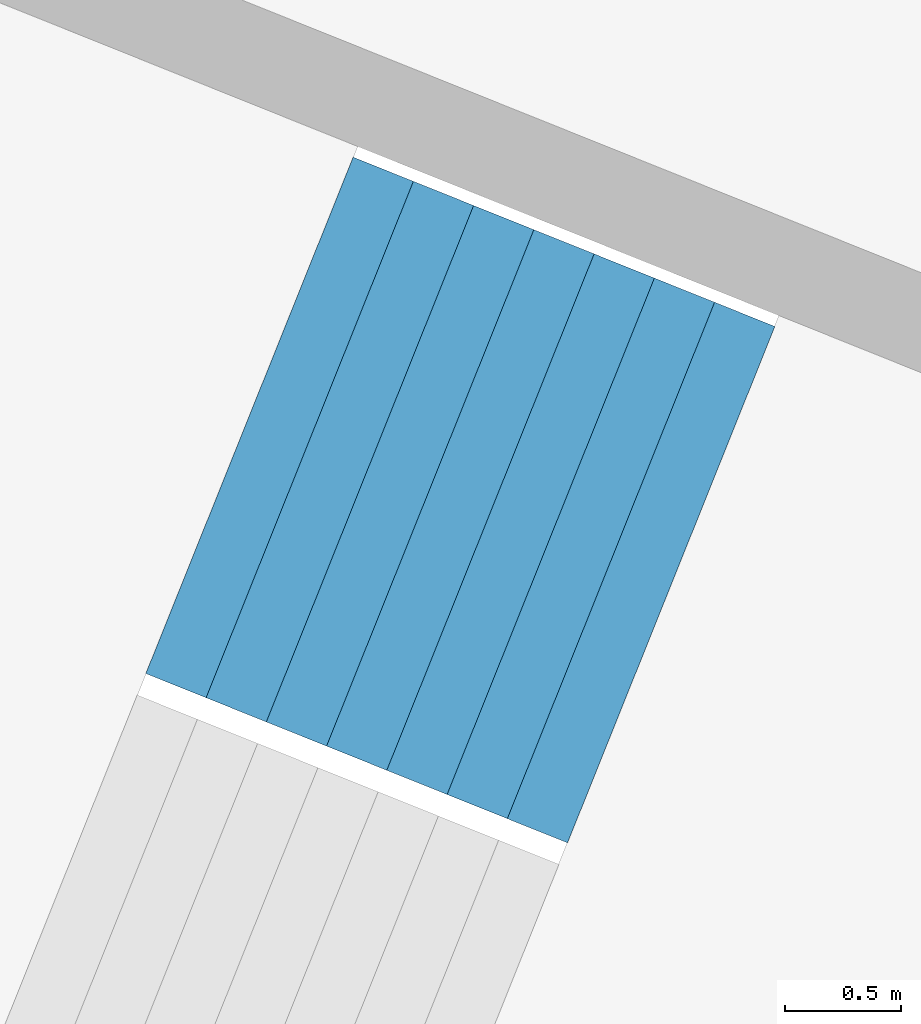
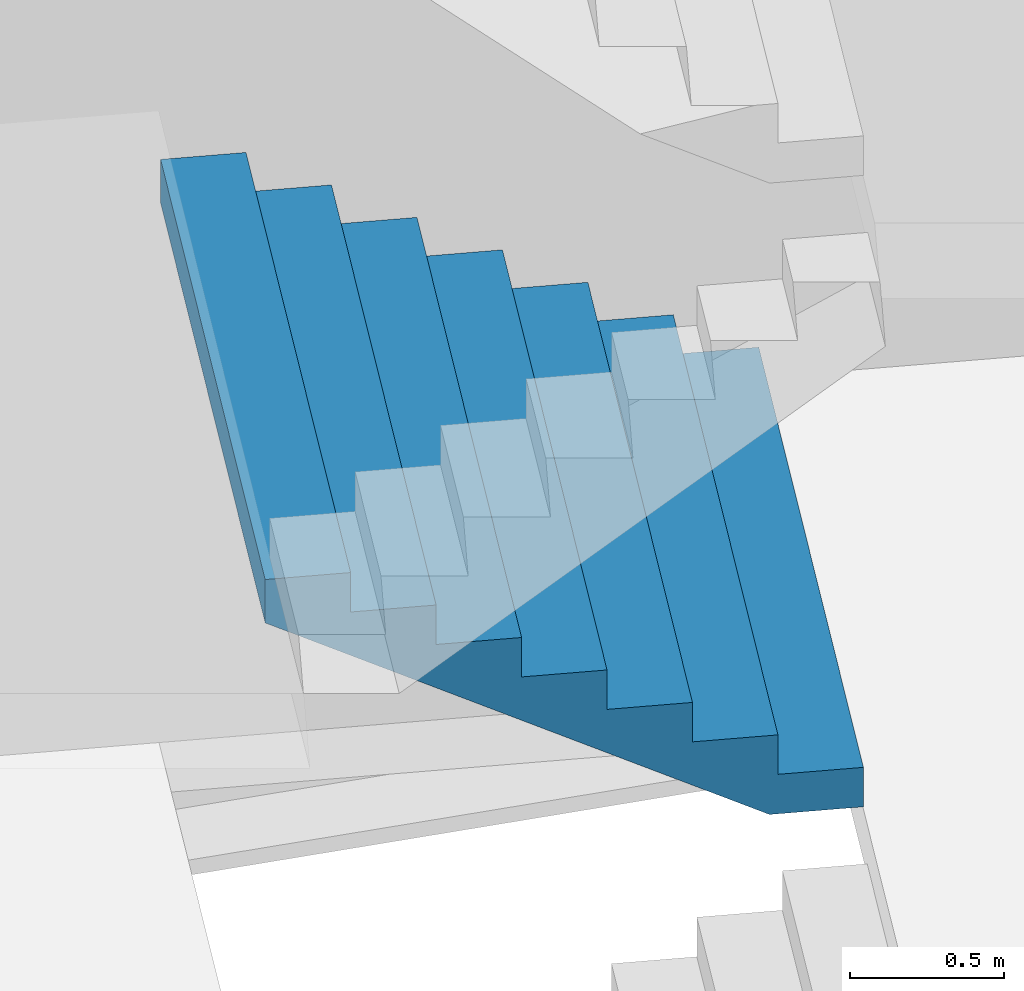
# One storey, part 51 of 73: 1 stair flight, 1 element without a shape of its own.
"""IFC4 building model written with IfcOpenShell, lengths in metres."""

from ifc_helpers import new_model, si_unit, direction, frame, origin, place, context, subcontext, project, spatial, triangles, material, type_object, element, aggregate, save


model = new_model("IFC4")

# Units and contexts
model_context = context("Model", 3, precision=1e-05, world=origin(), true_north=direction((0.0, 1.0)))
body_context = subcontext(model_context, "Body", "Model", "MODEL_VIEW")
ifc_project = project(units=[si_unit("LENGTHUNIT", "METRE"), si_unit("AREAUNIT", "SQUARE_METRE"), si_unit("VOLUMEUNIT", "CUBIC_METRE"), si_unit("PLANEANGLEUNIT", "RADIAN"), si_unit("MASSUNIT", "GRAM", prefix="KILO")], contexts=[model_context])

# Site, building, storey
site_placement = place(None, origin())
site = spatial("IfcSite", under=ifc_project, at=site_placement, CompositionType="ELEMENT")
building_placement = place(site_placement, origin())
building = spatial("IfcBuilding", under=site, at=building_placement, Name="Lantaw Convention Tower", CompositionType="ELEMENT")
storey_placement = place(building_placement, frame((0.0, 0.0, 27.0)))
storey = spatial("IfcBuildingStorey", under=building, at=storey_placement, Name="L04", CompositionType="ELEMENT", Elevation=27.0)

# Stair, stair flight
ifc_material = material(Name="Concrete C35/45", Category="concrete")
stair_type = type_object("IfcStairType", Name="Exit stair 2400 riser 156.25 in 4 flights", PredefinedType="HALF_TURN_STAIR", material=ifc_material)
stair_placement = place(storey_placement, origin())
stair = element("IfcStair", 1, at=stair_placement, inside=storey, type_object=stair_type, Name="Podium exit stair P12 L04", PredefinedType="HALF_TURN_STAIR")
stair_flight_type = type_object("IfcStairFlightType", Name="Stair flight 2400 riser 156.25", PredefinedType="STRAIGHT", material=ifc_material)
stair_flight_placement = place(storey_placement, frame((31.836669921875, -11.43359375, 1.25), z_axis=(0.0, 0.0, 1.0), x_axis=(-0.928015818512, 0.372540790506, 0.0)))
stair_flight = element("IfcStairFlight", 2, at=stair_flight_placement, type_object=stair_flight_type, Name="P12 flight 2", NumberOfRisers=8, NumberOfTreads=7, PredefinedType="STRAIGHT", RiserHeight=0.15625, TreadLength=0.28, context=body_context, shape_type="Tessellation", body=[
    triangles([(0.0, 1.199951171875, 0.0), (0.0, 1.199951171875, 0.15625), (0.28, 1.199951171875, 0.0), (0.28, 1.199951171875, 0.15625), (0.28, 1.199951171875, 0.3125), (0.3076200632058044, 1.199951171875, 0.0), (0.3076200632058044, 1.199951171875, 0.3125), (0.56, 1.199951171875, 0.14083701830033238), (0.56, 1.199951171875, 0.3125), (0.56, 1.199951171875, 0.46875), (0.8400000000000001, 1.199951171875, 0.29708701830033235), (0.8400000000000001, 1.199951171875, 0.46875), (0.8400000000000001, 1.199951171875, 0.625), (1.12, 1.199951171875, 0.45333701830033235), (1.12, 1.199951171875, 0.625), (1.12, 1.199951171875, 0.78125), (1.4000000000000001, 1.199951171875, 0.6095870183003324), (1.4000000000000001, 1.199951171875, 0.78125), (1.4000000000000001, 1.199951171875, 0.9375), (1.6800000000000002, 1.199951171875, 0.7658370183003324), (1.6800000000000002, 1.199951171875, 0.9375), (1.6800000000000002, 1.199951171875, 1.09375), (1.9600000000000002, 1.199951171875, 0.9220870183003324), (1.9600000000000002, 1.199951171875, 1.09375), (0.0, -1.199951171875, 0.0), (0.0, -1.199951171875, 0.15625), (0.28, -1.199951171875, 0.0), (0.28, -1.199951171875, 0.15625), (0.28, -1.199951171875, 0.3125), (0.3076200632058044, -1.199951171875, 0.0), (0.3076200632058044, -1.199951171875, 0.3125), (0.56, -1.199951171875, 0.14083701830033238), (0.56, -1.199951171875, 0.3125), (0.56, -1.199951171875, 0.46875), (0.8400000000000001, -1.199951171875, 0.29708701830033235), (0.8400000000000001, -1.199951171875, 0.46875), (0.8400000000000001, -1.199951171875, 0.625), (1.12, -1.199951171875, 0.45333701830033235), (1.12, -1.199951171875, 0.625), (1.12, -1.199951171875, 0.78125), (1.4000000000000001, -1.199951171875, 0.6095870183003324), (1.4000000000000001, -1.199951171875, 0.78125), (1.4000000000000001, -1.199951171875, 0.9375), (1.6800000000000002, -1.199951171875, 0.7658370183003324), (1.6800000000000002, -1.199951171875, 0.9375), (1.6800000000000002, -1.199951171875, 1.09375), (1.9600000000000002, -1.199951171875, 0.9220870183003324), (1.9600000000000002, -1.199951171875, 1.09375), (0.0, 0.239990234375, 0.15625), (0.0, 0.239990234375, 0.0), (0.0, 0.1919921875, 0.15625), (0.0, 0.1919921875, 0.0), (0.0, 0.143994140625, 0.15625), (0.0, 0.143994140625, 0.0), (0.0, 0.09599609375, 0.15625), (0.0, 0.09599609375, 0.0), (0.0, 0.047998046875, 0.15625), (0.0, 0.047998046875, 0.0), (0.0, 0.0, 0.15625), (0.0, 0.0, 0.0), (0.0, -0.047998046875, 0.15625), (0.0, -0.047998046875, 0.0), (0.0, -0.09599609375, 0.15625), (0.0, -0.09599609375, 0.0), (0.0, -0.143994140625, 0.15625), (0.0, -0.143994140625, 0.0), (0.0, -0.1919921875, 0.15625), (0.0, -0.1919921875, 0.0), (0.0, -0.239990234375, 0.15625), (0.0, -0.239990234375, 0.0), (0.28, 0.239990234375, 0.3125), (0.28, 0.239990234375, 0.15625), (0.28, 0.1919921875, 0.3125), (0.28, 0.1919921875, 0.15625), (0.28, 0.143994140625, 0.3125), (0.28, 0.143994140625, 0.15625), (0.28, 0.09599609375, 0.3125), (0.28, 0.09599609375, 0.15625), (0.28, 0.047998046875, 0.3125), (0.28, 0.047998046875, 0.15625), (0.28, 0.0, 0.3125), (0.28, 0.0, 0.15625), (0.28, -0.047998046875, 0.3125), (0.28, -0.047998046875, 0.15625), (0.28, -0.09599609375, 0.3125), (0.28, -0.09599609375, 0.15625), (0.28, -0.143994140625, 0.3125), (0.28, -0.143994140625, 0.15625), (0.28, -0.1919921875, 0.3125), (0.28, -0.1919921875, 0.15625), (0.28, -0.239990234375, 0.3125), (0.28, -0.239990234375, 0.15625), (0.56, 0.239990234375, 0.46875), (0.56, 0.239990234375, 0.3125), (0.56, 0.1919921875, 0.46875), (0.56, 0.1919921875, 0.3125), (0.56, 0.143994140625, 0.46875), (0.56, 0.143994140625, 0.3125), (0.56, 0.09599609375, 0.46875), (0.56, 0.09599609375, 0.3125), (0.56, 0.047998046875, 0.46875), (0.56, 0.047998046875, 0.3125), (0.56, 0.0, 0.46875), (0.56, 0.0, 0.3125), (0.56, -0.047998046875, 0.46875), (0.56, -0.047998046875, 0.3125), (0.56, -0.09599609375, 0.46875), (0.56, -0.09599609375, 0.3125), (0.56, -0.143994140625, 0.46875), (0.56, -0.143994140625, 0.3125), (0.56, -0.1919921875, 0.46875), (0.56, -0.1919921875, 0.3125), (0.56, -0.239990234375, 0.46875), (0.56, -0.239990234375, 0.3125), (0.8400000000000001, 0.239990234375, 0.625), (0.8400000000000001, 0.239990234375, 0.46875), (0.8400000000000001, 0.1919921875, 0.625), (0.8400000000000001, 0.1919921875, 0.46875), (0.8400000000000001, 0.143994140625, 0.625), (0.8400000000000001, 0.143994140625, 0.46875), (0.8400000000000001, 0.09599609375, 0.625), (0.8400000000000001, 0.09599609375, 0.46875), (0.8400000000000001, 0.047998046875, 0.625), (0.8400000000000001, 0.047998046875, 0.46875), (0.8400000000000001, 0.0, 0.625), (0.8400000000000001, 0.0, 0.46875), (0.8400000000000001, -0.047998046875, 0.625), (0.8400000000000001, -0.047998046875, 0.46875), (0.8400000000000001, -0.09599609375, 0.625), (0.8400000000000001, -0.09599609375, 0.46875), (0.8400000000000001, -0.143994140625, 0.625), (0.8400000000000001, -0.143994140625, 0.46875), (0.8400000000000001, -0.1919921875, 0.625), (0.8400000000000001, -0.1919921875, 0.46875), (0.8400000000000001, -0.239990234375, 0.625), (0.8400000000000001, -0.239990234375, 0.46875), (1.12, 0.239990234375, 0.78125), (1.12, 0.239990234375, 0.625), (1.12, 0.1919921875, 0.78125), (1.12, 0.1919921875, 0.625), (1.12, 0.143994140625, 0.78125), (1.12, 0.143994140625, 0.625), (1.12, 0.09599609375, 0.78125), (1.12, 0.09599609375, 0.625), (1.12, 0.047998046875, 0.78125), (1.12, 0.047998046875, 0.625), (1.12, 0.0, 0.78125), (1.12, 0.0, 0.625), (1.12, -0.047998046875, 0.78125), (1.12, -0.047998046875, 0.625), (1.12, -0.09599609375, 0.78125), (1.12, -0.09599609375, 0.625), (1.12, -0.143994140625, 0.78125), (1.12, -0.143994140625, 0.625), (1.12, -0.1919921875, 0.78125), (1.12, -0.1919921875, 0.625), (1.12, -0.239990234375, 0.78125), (1.12, -0.239990234375, 0.625), (1.4000000000000001, 0.239990234375, 0.9375), (1.4000000000000001, 0.239990234375, 0.78125), (1.4000000000000001, 0.1919921875, 0.9375), (1.4000000000000001, 0.1919921875, 0.78125), (1.4000000000000001, 0.143994140625, 0.9375), (1.4000000000000001, 0.143994140625, 0.78125), (1.4000000000000001, 0.09599609375, 0.9375), (1.4000000000000001, 0.09599609375, 0.78125), (1.4000000000000001, 0.047998046875, 0.9375), (1.4000000000000001, 0.047998046875, 0.78125), (1.4000000000000001, 0.0, 0.9375), (1.4000000000000001, 0.0, 0.78125), (1.4000000000000001, -0.047998046875, 0.9375), (1.4000000000000001, -0.047998046875, 0.78125), (1.4000000000000001, -0.09599609375, 0.9375), (1.4000000000000001, -0.09599609375, 0.78125), (1.4000000000000001, -0.143994140625, 0.9375), (1.4000000000000001, -0.143994140625, 0.78125), (1.4000000000000001, -0.1919921875, 0.9375), (1.4000000000000001, -0.1919921875, 0.78125), (1.4000000000000001, -0.239990234375, 0.9375), (1.4000000000000001, -0.239990234375, 0.78125), (1.6800000000000002, 0.239990234375, 1.09375), (1.6800000000000002, 0.239990234375, 0.9375), (1.6800000000000002, 0.1919921875, 1.09375), (1.6800000000000002, 0.1919921875, 0.9375), (1.6800000000000002, 0.143994140625, 1.09375), (1.6800000000000002, 0.143994140625, 0.9375), (1.6800000000000002, 0.09599609375, 1.09375), (1.6800000000000002, 0.09599609375, 0.9375), (1.6800000000000002, 0.047998046875, 1.09375), (1.6800000000000002, 0.047998046875, 0.9375), (1.6800000000000002, 0.0, 1.09375), (1.6800000000000002, 0.0, 0.9375), (1.6800000000000002, -0.047998046875, 1.09375), (1.6800000000000002, -0.047998046875, 0.9375), (1.6800000000000002, -0.09599609375, 1.09375), (1.6800000000000002, -0.09599609375, 0.9375), (1.6800000000000002, -0.143994140625, 1.09375), (1.6800000000000002, -0.143994140625, 0.9375), (1.6800000000000002, -0.1919921875, 1.09375), (1.6800000000000002, -0.1919921875, 0.9375), (1.6800000000000002, -0.239990234375, 1.09375), (1.6800000000000002, -0.239990234375, 0.9375), (0.3076200632058044, 0.239990234375, 0.3125), (0.3076200632058044, 0.1919921875, 0.3125), (0.3076200632058044, 0.143994140625, 0.3125), (0.3076200632058044, 0.09599609375, 0.3125), (0.3076200632058044, 0.047998046875, 0.3125), (0.3076200632058044, 0.0, 0.3125), (0.3076200632058044, -0.047998046875, 0.3125), (0.3076200632058044, -0.09599609375, 0.3125), (0.3076200632058044, -0.143994140625, 0.3125), (0.3076200632058044, -0.1919921875, 0.3125), (0.3076200632058044, -0.239990234375, 0.3125), (1.9600000000000002, 0.239990234375, 1.09375), (1.9600000000000002, 0.1919921875, 1.09375), (1.9600000000000002, 0.143994140625, 1.09375), (1.9600000000000002, 0.09599609375, 1.09375), (1.9600000000000002, 0.047998046875, 1.09375), (1.9600000000000002, 0.0, 1.09375), (1.9600000000000002, -0.047998046875, 1.09375), (1.9600000000000002, -0.09599609375, 1.09375), (1.9600000000000002, -0.143994140625, 1.09375), (1.9600000000000002, -0.1919921875, 1.09375), (1.9600000000000002, -0.239990234375, 1.09375), (1.9600000000000002, 0.239990234375, 0.9220870183003324), (1.9600000000000002, 0.1919921875, 0.9220870183003324), (1.9600000000000002, 0.143994140625, 0.9220870183003324), (1.9600000000000002, 0.09599609375, 0.9220870183003324), (1.9600000000000002, 0.047998046875, 0.9220870183003324), (1.9600000000000002, 0.0, 0.9220870183003324), (1.9600000000000002, -0.047998046875, 0.9220870183003324), (1.9600000000000002, -0.09599609375, 0.9220870183003324), (1.9600000000000002, -0.143994140625, 0.9220870183003324), (1.9600000000000002, -0.1919921875, 0.9220870183003324), (1.9600000000000002, -0.239990234375, 0.9220870183003324), (1.6800000000000002, 0.239990234375, 0.7658370183003324), (1.6800000000000002, 0.1919921875, 0.7658370183003324), (1.6800000000000002, 0.143994140625, 0.7658370183003324), (1.6800000000000002, 0.09599609375, 0.7658370183003324), (1.6800000000000002, 0.047998046875, 0.7658370183003324), (1.6800000000000002, 0.0, 0.7658370183003324), (1.6800000000000002, -0.047998046875, 0.7658370183003324), (1.6800000000000002, -0.09599609375, 0.7658370183003324), (1.6800000000000002, -0.143994140625, 0.7658370183003324), (1.6800000000000002, -0.1919921875, 0.7658370183003324), (1.6800000000000002, -0.239990234375, 0.7658370183003324), (1.4000000000000001, 0.239990234375, 0.6095870183003324), (1.4000000000000001, 0.1919921875, 0.6095870183003324), (1.4000000000000001, 0.143994140625, 0.6095870183003324), (1.4000000000000001, 0.09599609375, 0.6095870183003324), (1.4000000000000001, 0.047998046875, 0.6095870183003324), (1.4000000000000001, 0.0, 0.6095870183003324), (1.4000000000000001, -0.047998046875, 0.6095870183003324), (1.4000000000000001, -0.09599609375, 0.6095870183003324), (1.4000000000000001, -0.143994140625, 0.6095870183003324), (1.4000000000000001, -0.1919921875, 0.6095870183003324), (1.4000000000000001, -0.239990234375, 0.6095870183003324), (1.12, 0.239990234375, 0.45333701830033235), (1.12, 0.1919921875, 0.45333701830033235), (1.12, 0.143994140625, 0.45333701830033235), (1.12, 0.09599609375, 0.45333701830033235), (1.12, 0.047998046875, 0.45333701830033235), (1.12, 0.0, 0.45333701830033235), (1.12, -0.047998046875, 0.45333701830033235), (1.12, -0.09599609375, 0.45333701830033235), (1.12, -0.143994140625, 0.45333701830033235), (1.12, -0.1919921875, 0.45333701830033235), (1.12, -0.239990234375, 0.45333701830033235), (0.8400000000000001, 0.239990234375, 0.29708701830033235), (0.8400000000000001, 0.1919921875, 0.29708701830033235), (0.8400000000000001, 0.143994140625, 0.29708701830033235), (0.8400000000000001, 0.09599609375, 0.29708701830033235), (0.8400000000000001, 0.047998046875, 0.29708701830033235), (0.8400000000000001, 0.0, 0.29708701830033235), (0.8400000000000001, -0.047998046875, 0.29708701830033235), (0.8400000000000001, -0.09599609375, 0.29708701830033235), (0.8400000000000001, -0.143994140625, 0.29708701830033235), (0.8400000000000001, -0.1919921875, 0.29708701830033235), (0.8400000000000001, -0.239990234375, 0.29708701830033235), (0.56, 0.239990234375, 0.14083701830033238), (0.56, 0.1919921875, 0.14083701830033238), (0.56, 0.143994140625, 0.14083701830033238), (0.56, 0.09599609375, 0.14083701830033238), (0.56, 0.047998046875, 0.14083701830033238), (0.56, 0.0, 0.14083701830033238), (0.56, -0.047998046875, 0.14083701830033238), (0.56, -0.09599609375, 0.14083701830033238), (0.56, -0.143994140625, 0.14083701830033238), (0.56, -0.1919921875, 0.14083701830033238), (0.56, -0.239990234375, 0.14083701830033238), (0.3076200632058044, 0.239990234375, 0.0), (0.3076200632058044, 0.1919921875, 0.0), (0.3076200632058044, 0.143994140625, 0.0), (0.3076200632058044, 0.09599609375, 0.0), (0.3076200632058044, 0.047998046875, 0.0), (0.3076200632058044, 0.0, 0.0), (0.3076200632058044, -0.047998046875, 0.0), (0.3076200632058044, -0.09599609375, 0.0), (0.3076200632058044, -0.143994140625, 0.0), (0.3076200632058044, -0.1919921875, 0.0), (0.3076200632058044, -0.239990234375, 0.0), (0.28, 0.239990234375, 0.0), (0.28, 0.1919921875, 0.0), (0.28, 0.143994140625, 0.0), (0.28, 0.09599609375, 0.0), (0.28, 0.047998046875, 0.0), (0.28, 0.0, 0.0), (0.28, -0.047998046875, 0.0), (0.28, -0.09599609375, 0.0), (0.28, -0.143994140625, 0.0), (0.28, -0.1919921875, 0.0), (0.28, -0.239990234375, 0.0)], [[1, 4, 3], [1, 2, 4], [3, 4, 6], [4, 7, 6], [4, 5, 7], [6, 9, 8], [6, 7, 9], [8, 9, 11], [9, 12, 11], [9, 10, 12], [11, 12, 14], [12, 15, 14], [12, 13, 15], [14, 15, 17], [15, 18, 17], [15, 16, 18], [17, 18, 20], [18, 21, 20], [18, 19, 21], [20, 21, 23], [21, 24, 23], [21, 22, 24], [25, 27, 28], [25, 28, 26], [27, 30, 28], [28, 30, 31], [28, 31, 29], [30, 32, 33], [30, 33, 31], [32, 35, 33], [33, 35, 36], [33, 36, 34], [35, 38, 36], [36, 38, 39], [36, 39, 37], [38, 41, 39], [39, 41, 42], [39, 42, 40], [41, 44, 42], [42, 44, 45], [42, 45, 43], [44, 47, 45], [45, 47, 48], [45, 48, 46], [1, 49, 2], [1, 50, 49], [50, 51, 49], [50, 52, 51], [52, 53, 51], [52, 54, 53], [54, 55, 53], [54, 56, 55], [56, 57, 55], [56, 58, 57], [58, 59, 57], [58, 60, 59], [60, 61, 59], [60, 62, 61], [62, 63, 61], [62, 64, 63], [64, 65, 63], [64, 66, 65], [66, 67, 65], [66, 68, 67], [68, 69, 67], [68, 70, 69], [70, 26, 69], [70, 25, 26], [4, 71, 5], [4, 72, 71], [72, 73, 71], [72, 74, 73], [74, 75, 73], [74, 76, 75], [76, 77, 75], [76, 78, 77], [78, 79, 77], [78, 80, 79], [80, 81, 79], [80, 82, 81], [82, 83, 81], [82, 84, 83], [84, 85, 83], [84, 86, 85], [86, 87, 85], [86, 88, 87], [88, 89, 87], [88, 90, 89], [90, 91, 89], [90, 92, 91], [92, 29, 91], [92, 28, 29], [9, 93, 10], [9, 94, 93], [94, 95, 93], [94, 96, 95], [96, 97, 95], [96, 98, 97], [98, 99, 97], [98, 100, 99], [100, 101, 99], [100, 102, 101], [102, 103, 101], [102, 104, 103], [104, 105, 103], [104, 106, 105], [106, 107, 105], [106, 108, 107], [108, 109, 107], [108, 110, 109], [110, 111, 109], [110, 112, 111], [112, 113, 111], [112, 114, 113], [114, 34, 113], [114, 33, 34], [12, 115, 13], [12, 116, 115], [116, 117, 115], [116, 118, 117], [118, 119, 117], [118, 120, 119], [120, 121, 119], [120, 122, 121], [122, 123, 121], [122, 124, 123], [124, 125, 123], [124, 126, 125], [126, 127, 125], [126, 128, 127], [128, 129, 127], [128, 130, 129], [130, 131, 129], [130, 132, 131], [132, 133, 131], [132, 134, 133], [134, 135, 133], [134, 136, 135], [136, 37, 135], [136, 36, 37], [15, 137, 16], [15, 138, 137], [138, 139, 137], [138, 140, 139], [140, 141, 139], [140, 142, 141], [142, 143, 141], [142, 144, 143], [144, 145, 143], [144, 146, 145], [146, 147, 145], [146, 148, 147], [148, 149, 147], [148, 150, 149], [150, 151, 149], [150, 152, 151], [152, 153, 151], [152, 154, 153], [154, 155, 153], [154, 156, 155], [156, 157, 155], [156, 158, 157], [158, 40, 157], [158, 39, 40], [18, 159, 19], [18, 160, 159], [160, 161, 159], [160, 162, 161], [162, 163, 161], [162, 164, 163], [164, 165, 163], [164, 166, 165], [166, 167, 165], [166, 168, 167], [168, 169, 167], [168, 170, 169], [170, 171, 169], [170, 172, 171], [172, 173, 171], [172, 174, 173], [174, 175, 173], [174, 176, 175], [176, 177, 175], [176, 178, 177], [178, 179, 177], [178, 180, 179], [180, 43, 179], [180, 42, 43], [21, 181, 22], [21, 182, 181], [182, 183, 181], [182, 184, 183], [184, 185, 183], [184, 186, 185], [186, 187, 185], [186, 188, 187], [188, 189, 187], [188, 190, 189], [190, 191, 189], [190, 192, 191], [192, 193, 191], [192, 194, 193], [194, 195, 193], [194, 196, 195], [196, 197, 195], [196, 198, 197], [198, 199, 197], [198, 200, 199], [200, 201, 199], [200, 202, 201], [202, 46, 201], [202, 45, 46], [2, 72, 4], [2, 49, 72], [49, 74, 72], [49, 51, 74], [51, 76, 74], [51, 53, 76], [53, 78, 76], [53, 55, 78], [55, 80, 78], [55, 57, 80], [57, 82, 80], [57, 59, 82], [59, 84, 82], [59, 61, 84], [61, 86, 84], [61, 63, 86], [63, 88, 86], [63, 65, 88], [65, 90, 88], [65, 67, 90], [67, 92, 90], [67, 69, 92], [69, 28, 92], [69, 26, 28], [5, 203, 7], [5, 71, 203], [71, 204, 203], [71, 73, 204], [73, 205, 204], [73, 75, 205], [75, 206, 205], [75, 77, 206], [77, 207, 206], [77, 79, 207], [79, 208, 207], [79, 81, 208], [81, 209, 208], [81, 83, 209], [83, 210, 209], [83, 85, 210], [85, 211, 210], [85, 87, 211], [87, 212, 211], [87, 89, 212], [89, 213, 212], [89, 91, 213], [91, 31, 213], [91, 29, 31], [7, 94, 9], [7, 203, 94], [203, 96, 94], [203, 204, 96], [204, 98, 96], [204, 205, 98], [205, 100, 98], [205, 206, 100], [206, 102, 100], [206, 207, 102], [207, 104, 102], [207, 208, 104], [208, 106, 104], [208, 209, 106], [209, 108, 106], [209, 210, 108], [210, 110, 108], [210, 211, 110], [211, 112, 110], [211, 212, 112], [212, 114, 112], [212, 213, 114], [213, 33, 114], [213, 31, 33], [10, 116, 12], [10, 93, 116], [93, 118, 116], [93, 95, 118], [95, 120, 118], [95, 97, 120], [97, 122, 120], [97, 99, 122], [99, 124, 122], [99, 101, 124], [101, 126, 124], [101, 103, 126], [103, 128, 126], [103, 105, 128], [105, 130, 128], [105, 107, 130], [107, 132, 130], [107, 109, 132], [109, 134, 132], [109, 111, 134], [111, 136, 134], [111, 113, 136], [113, 36, 136], [113, 34, 36], [13, 138, 15], [13, 115, 138], [115, 140, 138], [115, 117, 140], [117, 142, 140], [117, 119, 142], [119, 144, 142], [119, 121, 144], [121, 146, 144], [121, 123, 146], [123, 148, 146], [123, 125, 148], [125, 150, 148], [125, 127, 150], [127, 152, 150], [127, 129, 152], [129, 154, 152], [129, 131, 154], [131, 156, 154], [131, 133, 156], [133, 158, 156], [133, 135, 158], [135, 39, 158], [135, 37, 39], [16, 160, 18], [16, 137, 160], [137, 162, 160], [137, 139, 162], [139, 164, 162], [139, 141, 164], [141, 166, 164], [141, 143, 166], [143, 168, 166], [143, 145, 168], [145, 170, 168], [145, 147, 170], [147, 172, 170], [147, 149, 172], [149, 174, 172], [149, 151, 174], [151, 176, 174], [151, 153, 176], [153, 178, 176], [153, 155, 178], [155, 180, 178], [155, 157, 180], [157, 42, 180], [157, 40, 42], [19, 182, 21], [19, 159, 182], [159, 184, 182], [159, 161, 184], [161, 186, 184], [161, 163, 186], [163, 188, 186], [163, 165, 188], [165, 190, 188], [165, 167, 190], [167, 192, 190], [167, 169, 192], [169, 194, 192], [169, 171, 194], [171, 196, 194], [171, 173, 196], [173, 198, 196], [173, 175, 198], [175, 200, 198], [175, 177, 200], [177, 202, 200], [177, 179, 202], [179, 45, 202], [179, 43, 45], [22, 214, 24], [22, 181, 214], [181, 215, 214], [181, 183, 215], [183, 216, 215], [183, 185, 216], [185, 217, 216], [185, 187, 217], [187, 218, 217], [187, 189, 218], [189, 219, 218], [189, 191, 219], [191, 220, 219], [191, 193, 220], [193, 221, 220], [193, 195, 221], [195, 222, 221], [195, 197, 222], [197, 223, 222], [197, 199, 223], [199, 224, 223], [199, 201, 224], [201, 48, 224], [201, 46, 48], [24, 225, 23], [24, 214, 225], [214, 226, 225], [214, 215, 226], [215, 227, 226], [215, 216, 227], [216, 228, 227], [216, 217, 228], [217, 229, 228], [217, 218, 229], [218, 230, 229], [218, 219, 230], [219, 231, 230], [219, 220, 231], [220, 232, 231], [220, 221, 232], [221, 233, 232], [221, 222, 233], [222, 234, 233], [222, 223, 234], [223, 235, 234], [223, 224, 235], [224, 47, 235], [224, 48, 47], [23, 236, 20], [23, 225, 236], [225, 237, 236], [225, 226, 237], [226, 238, 237], [226, 227, 238], [227, 239, 238], [227, 228, 239], [228, 240, 239], [228, 229, 240], [229, 241, 240], [229, 230, 241], [230, 242, 241], [230, 231, 242], [231, 243, 242], [231, 232, 243], [232, 244, 243], [232, 233, 244], [233, 245, 244], [233, 234, 245], [234, 246, 245], [234, 235, 246], [235, 44, 246], [235, 47, 44], [20, 247, 17], [20, 236, 247], [236, 248, 247], [236, 237, 248], [237, 249, 248], [237, 238, 249], [238, 250, 249], [238, 239, 250], [239, 251, 250], [239, 240, 251], [240, 252, 251], [240, 241, 252], [241, 253, 252], [241, 242, 253], [242, 254, 253], [242, 243, 254], [243, 255, 254], [243, 244, 255], [244, 256, 255], [244, 245, 256], [245, 257, 256], [245, 246, 257], [246, 41, 257], [246, 44, 41], [17, 258, 14], [17, 247, 258], [247, 259, 258], [247, 248, 259], [248, 260, 259], [248, 249, 260], [249, 261, 260], [249, 250, 261], [250, 262, 261], [250, 251, 262], [251, 263, 262], [251, 252, 263], [252, 264, 263], [252, 253, 264], [253, 265, 264], [253, 254, 265], [254, 266, 265], [254, 255, 266], [255, 267, 266], [255, 256, 267], [256, 268, 267], [256, 257, 268], [257, 38, 268], [257, 41, 38], [14, 269, 11], [14, 258, 269], [258, 270, 269], [258, 259, 270], [259, 271, 270], [259, 260, 271], [260, 272, 271], [260, 261, 272], [261, 273, 272], [261, 262, 273], [262, 274, 273], [262, 263, 274], [263, 275, 274], [263, 264, 275], [264, 276, 275], [264, 265, 276], [265, 277, 276], [265, 266, 277], [266, 278, 277], [266, 267, 278], [267, 279, 278], [267, 268, 279], [268, 35, 279], [268, 38, 35], [11, 280, 8], [11, 269, 280], [269, 281, 280], [269, 270, 281], [270, 282, 281], [270, 271, 282], [271, 283, 282], [271, 272, 283], [272, 284, 283], [272, 273, 284], [273, 285, 284], [273, 274, 285], [274, 286, 285], [274, 275, 286], [275, 287, 286], [275, 276, 287], [276, 288, 287], [276, 277, 288], [277, 289, 288], [277, 278, 289], [278, 290, 289], [278, 279, 290], [279, 32, 290], [279, 35, 32], [8, 291, 6], [8, 280, 291], [280, 292, 291], [280, 281, 292], [281, 293, 292], [281, 282, 293], [282, 294, 293], [282, 283, 294], [283, 295, 294], [283, 284, 295], [284, 296, 295], [284, 285, 296], [285, 297, 296], [285, 286, 297], [286, 298, 297], [286, 287, 298], [287, 299, 298], [287, 288, 299], [288, 300, 299], [288, 289, 300], [289, 301, 300], [289, 290, 301], [290, 30, 301], [290, 32, 30], [6, 302, 3], [6, 291, 302], [291, 303, 302], [291, 292, 303], [292, 304, 303], [292, 293, 304], [293, 305, 304], [293, 294, 305], [294, 306, 305], [294, 295, 306], [295, 307, 306], [295, 296, 307], [296, 308, 307], [296, 297, 308], [297, 309, 308], [297, 298, 309], [298, 310, 309], [298, 299, 310], [299, 311, 310], [299, 300, 311], [300, 312, 311], [300, 301, 312], [301, 27, 312], [301, 30, 27], [3, 50, 1], [3, 302, 50], [302, 52, 50], [302, 303, 52], [303, 54, 52], [303, 304, 54], [304, 56, 54], [304, 305, 56], [305, 58, 56], [305, 306, 58], [306, 60, 58], [306, 307, 60], [307, 62, 60], [307, 308, 62], [308, 64, 62], [308, 309, 64], [309, 66, 64], [309, 310, 66], [310, 68, 66], [310, 311, 68], [311, 70, 68], [311, 312, 70], [312, 25, 70], [312, 27, 25]], closed=True),
])
aggregate(stair, [stair_flight])

save(model, "model.ifc")
